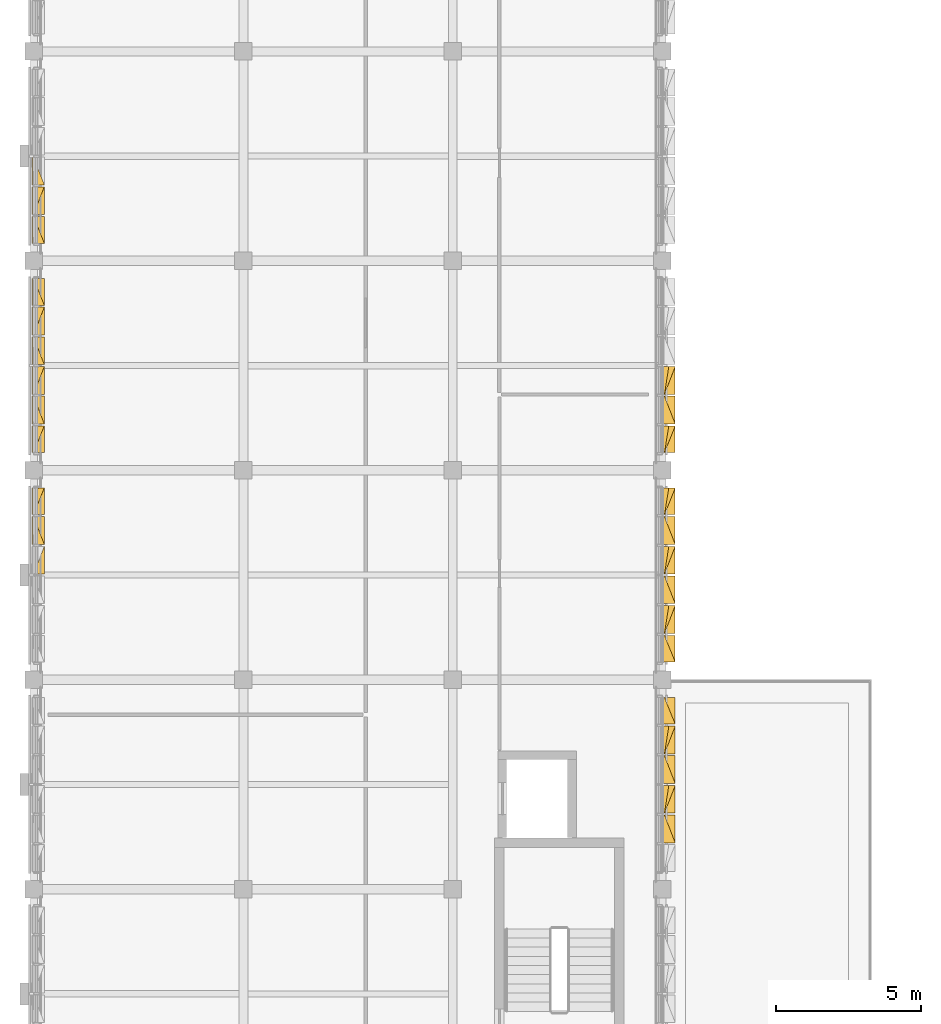
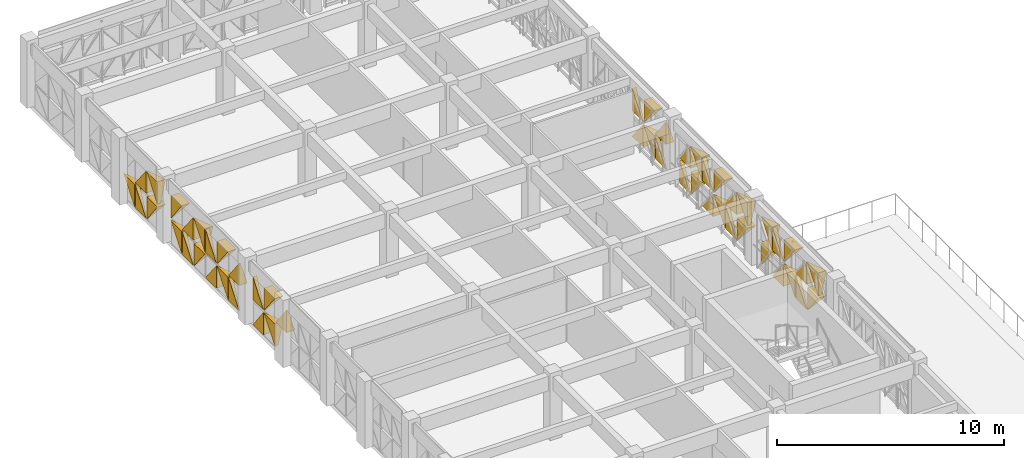
# One storey, part 97 of 99: 50 coverings.
"""IFC4 building model written with IfcOpenShell, lengths in metres."""

from ifc_helpers import new_model, si_unit, direction, frame, origin, place, context, subcontext, project, spatial, polygons, material, layer, layer_set, type_object, element, save


model = new_model("IFC4")

# Units and contexts
model_context = context("Model", 3, precision=1e-05, world=origin(), true_north=direction((0.0, 1.0)))
body_context = subcontext(model_context, "Body", "Model", "MODEL_VIEW")
ifc_project = project(units=[si_unit("LENGTHUNIT", "METRE"), si_unit("AREAUNIT", "SQUARE_METRE"), si_unit("VOLUMEUNIT", "CUBIC_METRE"), si_unit("PLANEANGLEUNIT", "RADIAN"), si_unit("MASSUNIT", "GRAM", prefix="KILO")], contexts=[model_context])

# Site, building, storey
site_placement = place(None, origin())
site = spatial("IfcSite", under=ifc_project, at=site_placement, CompositionType="ELEMENT")
building_placement = place(site_placement, origin())
building = spatial("IfcBuilding", under=site, at=building_placement, Name="Alvorim Cloister Faculty of Sciences", CompositionType="ELEMENT")
storey_placement = place(building_placement, frame((0.0, 0.0, 12.14990234375)))
storey = spatial("IfcBuildingStorey", under=building, at=storey_placement, Name="L03", CompositionType="ELEMENT", Elevation=12.14990234375)

# Coverings
ifc_material = material(Name="Perforated Bronze Alloy Sheet", Category="metal")
ifc_layer = layer(ifc_material, 0.0380859375)
ifc_layer_set = layer_set([ifc_layer], Name="Perforated Bronze Alloy Sheet")
covering_type = type_object("IfcCoveringType", Name="COV-TRI-BRZ", PredefinedType="CLADDING", material=ifc_layer_set)
covering_1_placement = place(storey_placement, frame((-0.044921875, 88.83251953125, 1.4951171875), z_axis=(0.0, 0.0, 1.0), x_axis=(0.0, 1.0, 0.0)))
element("IfcCovering", 1, at=covering_1_placement, inside=storey, type_object=covering_type, Name="Diagonal Solid Metal Triangle TRI-BL", PredefinedType="CLADDING", context=body_context, shape_type="Tessellation", body=[
    polygons([(0.0, 0.0260009765625, 0.0), (0.953078125, 0.0260009765625, 0.0), (0.0, 0.0260009765625, 1.213087890625), (0.0, -0.4, 0.0), (0.953078125, -0.4, 0.0), (0.0, -0.03, 1.213087890625)], [[[1, 3, 2]], [[4, 5, 6]], [[1, 2, 5, 4]], [[2, 3, 6, 5]], [[3, 1, 4, 6]]], closed=True),
])
covering_2_placement = place(storey_placement, frame((-0.044921875, 89.8525390625, 0.14013671875), z_axis=(0.0, 0.0, 1.0), x_axis=(0.0, 1.0, 0.0)))
element("IfcCovering", 2, at=covering_2_placement, inside=storey, type_object=covering_type, Name="Diagonal Solid Metal Triangle TRI-TL", PredefinedType="CLADDING", context=body_context, shape_type="Tessellation", body=[
    polygons([(0.953078125, 0.0260009765625, 1.21484375), (0.0, 0.0260009765625, 1.21484375), (0.0, 0.0260009765625, 0.002), (0.953078125, -0.03, 1.21484375), (0.0, -0.4, 1.21484375), (0.0, -0.13999999999999999, 0.002)], [[[1, 3, 2]], [[4, 5, 6]], [[1, 2, 5, 4]], [[2, 3, 6, 5]], [[3, 1, 4, 6]]], closed=True),
])
covering_3_placement = place(storey_placement, frame((-0.044921875, 89.8525390625, 1.4951171875), z_axis=(0.0, 0.0, 1.0), x_axis=(0.0, 1.0, 0.0)))
element("IfcCovering", 3, at=covering_3_placement, inside=storey, type_object=covering_type, Name="Diagonal Solid Metal Triangle TRI-TR", PredefinedType="CLADDING", context=body_context, shape_type="Tessellation", body=[
    polygons([(0.955078125, 0.0260009765625, 0.002), (0.955078125, 0.0260009765625, 1.215087890625), (0.002, 0.0260009765625, 1.215087890625), (0.955078125, -0.03, 0.002), (0.955078125, -0.4, 1.215087890625), (0.002, -0.4, 1.215087890625)], [[[1, 3, 2]], [[4, 5, 6]], [[1, 2, 5, 4]], [[2, 3, 6, 5]], [[3, 1, 4, 6]]], closed=True),
])
covering_4_placement = place(storey_placement, frame((-0.044921875, 90.87255859375, 0.14013671875), z_axis=(0.0, 0.0, 1.0), x_axis=(0.0, 1.0, 0.0)))
element("IfcCovering", 4, at=covering_4_placement, inside=storey, type_object=covering_type, Name="Diagonal Solid Metal Triangle TRI-BL", PredefinedType="CLADDING", context=body_context, shape_type="Tessellation", body=[
    polygons([(0.0, 0.0260009765625, 0.0), (0.920607421875, 0.0260009765625, 0.0), (0.0, 0.0260009765625, 1.21284375), (0.0, -0.4, 0.0), (0.920607421875, -0.4, 0.0), (0.0, -0.03, 1.21284375)], [[[1, 3, 2]], [[4, 5, 6]], [[1, 2, 5, 4]], [[2, 3, 6, 5]], [[3, 1, 4, 6]]], closed=True),
])
covering_5_placement = place(storey_placement, frame((-0.044921875, 90.87255859375, 1.4951171875), z_axis=(0.0, 0.0, 1.0), x_axis=(0.0, 1.0, 0.0)))
element("IfcCovering", 5, at=covering_5_placement, inside=storey, type_object=covering_type, Name="Diagonal Solid Metal Triangle TRI-BR", PredefinedType="CLADDING", context=body_context, shape_type="Tessellation", body=[
    polygons([(0.002, 0.0260009765625, 0.0), (0.922607421875, 0.0260009765625, 0.0), (0.922607421875, 0.0260009765625, 1.213087890625), (0.002, -0.03, 0.0), (0.922607421875, -0.4, 0.0), (0.922607421875, -0.18000000000000002, 1.213087890625)], [[[1, 3, 2]], [[4, 5, 6]], [[1, 2, 5, 4]], [[2, 3, 6, 5]], [[3, 1, 4, 6]]], closed=True),
])
covering_6_placement = place(storey_placement, frame((-0.044921875, 93.0048828125, 0.14013671875), z_axis=(0.0, 0.0, 1.0), x_axis=(0.0, 1.0, 0.0)))
element("IfcCovering", 6, at=covering_6_placement, inside=storey, type_object=covering_type, Name="Diagonal Solid Metal Triangle TRI-BR", PredefinedType="CLADDING", context=body_context, shape_type="Tessellation", body=[
    polygons([(0.002, 0.0260009765625, 0.0), (0.922607421875, 0.0260009765625, 0.0), (0.922607421875, 0.0260009765625, 1.21284375), (0.002, -0.03, 0.0), (0.922607421875, -0.4, 0.0), (0.922607421875, -0.18000000000000002, 1.21284375)], [[[1, 3, 2]], [[4, 5, 6]], [[1, 2, 5, 4]], [[2, 3, 6, 5]], [[3, 1, 4, 6]]], closed=True),
])
covering_7_placement = place(storey_placement, frame((-0.044921875, 93.0048828125, 1.4951171875), z_axis=(0.0, 0.0, 1.0), x_axis=(0.0, 1.0, 0.0)))
element("IfcCovering", 7, at=covering_7_placement, inside=storey, type_object=covering_type, Name="Diagonal Solid Metal Triangle TRI-BL", PredefinedType="CLADDING", context=body_context, shape_type="Tessellation", body=[
    polygons([(0.0, 0.0260009765625, 0.0), (0.920607421875, 0.0260009765625, 0.0), (0.0, 0.0260009765625, 1.213087890625), (0.0, -0.4, 0.0), (0.920607421875, -0.4, 0.0), (0.0, -0.03, 1.213087890625)], [[[1, 3, 2]], [[4, 5, 6]], [[1, 2, 5, 4]], [[2, 3, 6, 5]], [[3, 1, 4, 6]]], closed=True),
])
covering_8_placement = place(storey_placement, frame((-0.044921875, 93.992431640625, 0.14013671875), z_axis=(0.0, 0.0, 1.0), x_axis=(0.0, 1.0, 0.0)))
element("IfcCovering", 8, at=covering_8_placement, inside=storey, type_object=covering_type, Name="Diagonal Solid Metal Triangle TRI-TL", PredefinedType="CLADDING", context=body_context, shape_type="Tessellation", body=[
    polygons([(0.953078125, 0.0260009765625, 1.21484375), (0.0, 0.0260009765625, 1.21484375), (0.0, 0.0260009765625, 0.002), (0.953078125, -0.03, 1.21484375), (0.0, -0.4, 1.21484375), (0.0, -0.13999999999999999, 0.002)], [[[1, 3, 2]], [[4, 5, 6]], [[1, 2, 5, 4]], [[2, 3, 6, 5]], [[3, 1, 4, 6]]], closed=True),
])
covering_9_placement = place(storey_placement, frame((-0.044921875, 93.992431640625, 1.4951171875), z_axis=(0.0, 0.0, 1.0), x_axis=(0.0, 1.0, 0.0)))
element("IfcCovering", 9, at=covering_9_placement, inside=storey, type_object=covering_type, Name="Diagonal Solid Metal Triangle TRI-TR", PredefinedType="CLADDING", context=body_context, shape_type="Tessellation", body=[
    polygons([(0.955078125, 0.0260009765625, 0.002), (0.955078125, 0.0260009765625, 1.215087890625), (0.002, 0.0260009765625, 1.215087890625), (0.955078125, -0.03, 0.002), (0.955078125, -0.4, 1.215087890625), (0.002, -0.4, 1.215087890625)], [[[1, 3, 2]], [[4, 5, 6]], [[1, 2, 5, 4]], [[2, 3, 6, 5]], [[3, 1, 4, 6]]], closed=True),
])
covering_10_placement = place(storey_placement, frame((-0.044921875, 95.012451171875, 0.14013671875), z_axis=(0.0, 0.0, 1.0), x_axis=(0.0, 1.0, 0.0)))
element("IfcCovering", 10, at=covering_10_placement, inside=storey, type_object=covering_type, Name="Diagonal Solid Metal Triangle TRI-BL", PredefinedType="CLADDING", context=body_context, shape_type="Tessellation", body=[
    polygons([(0.0, 0.0260009765625, 0.0), (0.953078125, 0.0260009765625, 0.0), (0.0, 0.0260009765625, 1.21284375), (0.0, -0.4, 0.0), (0.953078125, -0.4, 0.0), (0.0, -0.03, 1.21284375)], [[[1, 3, 2]], [[4, 5, 6]], [[1, 2, 5, 4]], [[2, 3, 6, 5]], [[3, 1, 4, 6]]], closed=True),
])
covering_11_placement = place(storey_placement, frame((-0.044921875, 95.012451171875, 1.4951171875), z_axis=(0.0, 0.0, 1.0), x_axis=(0.0, 1.0, 0.0)))
element("IfcCovering", 11, at=covering_11_placement, inside=storey, type_object=covering_type, Name="Diagonal Solid Metal Triangle TRI-BR", PredefinedType="CLADDING", context=body_context, shape_type="Tessellation", body=[
    polygons([(0.002, 0.0260009765625, 0.0), (0.955078125, 0.0260009765625, 0.0), (0.955078125, 0.0260009765625, 1.213087890625), (0.002, -0.03, 0.0), (0.955078125, -0.4, 0.0), (0.955078125, -0.18000000000000002, 1.213087890625)], [[[1, 3, 2]], [[4, 5, 6]], [[1, 2, 5, 4]], [[2, 3, 6, 5]], [[3, 1, 4, 6]]], closed=True),
])
covering_12_placement = place(storey_placement, frame((-0.044921875, 96.032470703125, 0.14013671875), z_axis=(0.0, 0.0, 1.0), x_axis=(0.0, 1.0, 0.0)))
element("IfcCovering", 12, at=covering_12_placement, inside=storey, type_object=covering_type, Name="Diagonal Solid Metal Triangle TRI-TR", PredefinedType="CLADDING", context=body_context, shape_type="Tessellation", body=[
    polygons([(0.955078125, 0.0260009765625, 0.002), (0.955078125, 0.0260009765625, 1.21484375), (0.002, 0.0260009765625, 1.21484375), (0.955078125, -0.03, 0.002), (0.955078125, -0.4, 1.21484375), (0.002, -0.4, 1.21484375)], [[[1, 3, 2]], [[4, 5, 6]], [[1, 2, 5, 4]], [[2, 3, 6, 5]], [[3, 1, 4, 6]]], closed=True),
])
covering_13_placement = place(storey_placement, frame((-0.044921875, 96.032470703125, 1.4951171875), z_axis=(0.0, 0.0, 1.0), x_axis=(0.0, 1.0, 0.0)))
element("IfcCovering", 13, at=covering_13_placement, inside=storey, type_object=covering_type, Name="Diagonal Solid Metal Triangle TRI-TL", PredefinedType="CLADDING", context=body_context, shape_type="Tessellation", body=[
    polygons([(0.953078125, 0.0260009765625, 1.215087890625), (0.0, 0.0260009765625, 1.215087890625), (0.0, 0.0260009765625, 0.002), (0.953078125, -0.03, 1.215087890625), (0.0, -0.4, 1.215087890625), (0.0, -0.13999999999999999, 0.002)], [[[1, 3, 2]], [[4, 5, 6]], [[1, 2, 5, 4]], [[2, 3, 6, 5]], [[3, 1, 4, 6]]], closed=True),
])
covering_14_placement = place(storey_placement, frame((-0.044921875, 97.052490234375, 0.14013671875), z_axis=(0.0, 0.0, 1.0), x_axis=(0.0, 1.0, 0.0)))
element("IfcCovering", 14, at=covering_14_placement, inside=storey, type_object=covering_type, Name="Diagonal Solid Metal Triangle TRI-BR", PredefinedType="CLADDING", context=body_context, shape_type="Tessellation", body=[
    polygons([(0.002, 0.0260009765625, 0.0), (0.955078125, 0.0260009765625, 0.0), (0.955078125, 0.0260009765625, 1.21284375), (0.002, -0.03, 0.0), (0.955078125, -0.4, 0.0), (0.955078125, -0.18000000000000002, 1.21284375)], [[[1, 3, 2]], [[4, 5, 6]], [[1, 2, 5, 4]], [[2, 3, 6, 5]], [[3, 1, 4, 6]]], closed=True),
])
covering_15_placement = place(storey_placement, frame((-0.044921875, 97.052490234375, 1.4951171875), z_axis=(0.0, 0.0, 1.0), x_axis=(0.0, 1.0, 0.0)))
element("IfcCovering", 15, at=covering_15_placement, inside=storey, type_object=covering_type, Name="Diagonal Solid Metal Triangle TRI-BL", PredefinedType="CLADDING", context=body_context, shape_type="Tessellation", body=[
    polygons([(0.0, 0.0260009765625, 0.0), (0.953078125, 0.0260009765625, 0.0), (0.0, 0.0260009765625, 1.213087890625), (0.0, -0.4, 0.0), (0.953078125, -0.4, 0.0), (0.0, -0.03, 1.213087890625)], [[[1, 3, 2]], [[4, 5, 6]], [[1, 2, 5, 4]], [[2, 3, 6, 5]], [[3, 1, 4, 6]]], closed=True),
])
covering_16_placement = place(storey_placement, frame((-0.044921875, 98.072509765625, 0.14013671875), z_axis=(0.0, 0.0, 1.0), x_axis=(0.0, 1.0, 0.0)))
element("IfcCovering", 16, at=covering_16_placement, inside=storey, type_object=covering_type, Name="Diagonal Solid Metal Triangle TRI-TL", PredefinedType="CLADDING", context=body_context, shape_type="Tessellation", body=[
    polygons([(0.920607421875, 0.0260009765625, 1.21484375), (0.0, 0.0260009765625, 1.21484375), (0.0, 0.0260009765625, 0.002), (0.920607421875, -0.03, 1.21484375), (0.0, -0.4, 1.21484375), (0.0, -0.13999999999999999, 0.002)], [[[1, 3, 2]], [[4, 5, 6]], [[1, 2, 5, 4]], [[2, 3, 6, 5]], [[3, 1, 4, 6]]], closed=True),
])
covering_17_placement = place(storey_placement, frame((-0.044921875, 98.072509765625, 1.4951171875), z_axis=(0.0, 0.0, 1.0), x_axis=(0.0, 1.0, 0.0)))
element("IfcCovering", 17, at=covering_17_placement, inside=storey, type_object=covering_type, Name="Diagonal Solid Metal Triangle TRI-TR", PredefinedType="CLADDING", context=body_context, shape_type="Tessellation", body=[
    polygons([(0.922607421875, 0.0260009765625, 0.002), (0.922607421875, 0.0260009765625, 1.215087890625), (0.002, 0.0260009765625, 1.215087890625), (0.922607421875, -0.03, 0.002), (0.922607421875, -0.4, 1.215087890625), (0.002, -0.4, 1.215087890625)], [[[1, 3, 2]], [[4, 5, 6]], [[1, 2, 5, 4]], [[2, 3, 6, 5]], [[3, 1, 4, 6]]], closed=True),
])
covering_18_placement = place(storey_placement, frame((-0.044921875, 100.205078125, 0.14013671875), z_axis=(0.0, 0.0, 1.0), x_axis=(0.0, 1.0, 0.0)))
element("IfcCovering", 18, at=covering_18_placement, inside=storey, type_object=covering_type, Name="Diagonal Solid Metal Triangle TRI-TR", PredefinedType="CLADDING", context=body_context, shape_type="Tessellation", body=[
    polygons([(0.922607421875, 0.0260009765625, 0.002), (0.922607421875, 0.0260009765625, 1.21484375), (0.002, 0.0260009765625, 1.21484375), (0.922607421875, -0.03, 0.002), (0.922607421875, -0.4, 1.21484375), (0.002, -0.4, 1.21484375)], [[[1, 3, 2]], [[4, 5, 6]], [[1, 2, 5, 4]], [[2, 3, 6, 5]], [[3, 1, 4, 6]]], closed=True),
])
covering_19_placement = place(storey_placement, frame((-0.044921875, 100.205078125, 1.4951171875), z_axis=(0.0, 0.0, 1.0), x_axis=(0.0, 1.0, 0.0)))
element("IfcCovering", 19, at=covering_19_placement, inside=storey, type_object=covering_type, Name="Diagonal Solid Metal Triangle TRI-TL", PredefinedType="CLADDING", context=body_context, shape_type="Tessellation", body=[
    polygons([(0.920607421875, 0.0260009765625, 1.215087890625), (0.0, 0.0260009765625, 1.215087890625), (0.0, 0.0260009765625, 0.002), (0.920607421875, -0.03, 1.215087890625), (0.0, -0.4, 1.215087890625), (0.0, -0.13999999999999999, 0.002)], [[[1, 3, 2]], [[4, 5, 6]], [[1, 2, 5, 4]], [[2, 3, 6, 5]], [[3, 1, 4, 6]]], closed=True),
])
covering_20_placement = place(storey_placement, frame((-0.044921875, 101.1923828125, 0.14013671875), z_axis=(0.0, 0.0, 1.0), x_axis=(0.0, 1.0, 0.0)))
element("IfcCovering", 20, at=covering_20_placement, inside=storey, type_object=covering_type, Name="Diagonal Solid Metal Triangle TRI-BR", PredefinedType="CLADDING", context=body_context, shape_type="Tessellation", body=[
    polygons([(0.002, 0.0260009765625, 0.0), (0.955078125, 0.0260009765625, 0.0), (0.955078125, 0.0260009765625, 1.21284375), (0.002, -0.03, 0.0), (0.955078125, -0.4, 0.0), (0.955078125, -0.18000000000000002, 1.21284375)], [[[1, 3, 2]], [[4, 5, 6]], [[1, 2, 5, 4]], [[2, 3, 6, 5]], [[3, 1, 4, 6]]], closed=True),
])
covering_21_placement = place(storey_placement, frame((-0.044921875, 101.1923828125, 1.4951171875), z_axis=(0.0, 0.0, 1.0), x_axis=(0.0, 1.0, 0.0)))
element("IfcCovering", 21, at=covering_21_placement, inside=storey, type_object=covering_type, Name="Diagonal Solid Metal Triangle TRI-BL", PredefinedType="CLADDING", context=body_context, shape_type="Tessellation", body=[
    polygons([(0.0, 0.0260009765625, 0.0), (0.953078125, 0.0260009765625, 0.0), (0.0, 0.0260009765625, 1.213087890625), (0.0, -0.4, 0.0), (0.953078125, -0.4, 0.0), (0.0, -0.03, 1.213087890625)], [[[1, 3, 2]], [[4, 5, 6]], [[1, 2, 5, 4]], [[2, 3, 6, 5]], [[3, 1, 4, 6]]], closed=True),
])
covering_22_placement = place(storey_placement, frame((-0.044921875, 102.21240234375, 0.14013671875), z_axis=(0.0, 0.0, 1.0), x_axis=(0.0, 1.0, 0.0)))
element("IfcCovering", 22, at=covering_22_placement, inside=storey, type_object=covering_type, Name="Diagonal Solid Metal Triangle TRI-TL", PredefinedType="CLADDING", context=body_context, shape_type="Tessellation", body=[
    polygons([(0.953078125, 0.0260009765625, 1.21484375), (0.0, 0.0260009765625, 1.21484375), (0.0, 0.0260009765625, 0.002), (0.953078125, -0.03, 1.21484375), (0.0, -0.4, 1.21484375), (0.0, -0.13999999999999999, 0.002)], [[[1, 3, 2]], [[4, 5, 6]], [[1, 2, 5, 4]], [[2, 3, 6, 5]], [[3, 1, 4, 6]]], closed=True),
])
covering_23_placement = place(storey_placement, frame((21.64501953125, 93.0048828125, 0.14013671875), z_axis=(0.0, 0.0, 1.0), x_axis=(0.0, 1.0, 0.0)))
element("IfcCovering", 23, at=covering_23_placement, inside=storey, type_object=covering_type, Name="Diagonal Solid Metal Triangle TRI-BR", PredefinedType="CLADDING", context=body_context, shape_type="Tessellation", body=[
    polygons([(0.002, 0.0260009765625, 0.0), (0.922607421875, 0.0260009765625, 0.0), (0.922607421875, 0.0260009765625, 1.21284375), (0.002, -0.03, 0.0), (0.922607421875, -0.4, 0.0), (0.922607421875, -0.18000000000000002, 1.21284375)], [[[1, 3, 2]], [[4, 5, 6]], [[1, 2, 5, 4]], [[2, 3, 6, 5]], [[3, 1, 4, 6]]], closed=True),
])
covering_24_placement = place(storey_placement, frame((21.64501953125, 93.0048828125, 1.4951171875), z_axis=(0.0, 0.0, 1.0), x_axis=(0.0, 1.0, 0.0)))
element("IfcCovering", 24, at=covering_24_placement, inside=storey, type_object=covering_type, Name="Diagonal Solid Metal Triangle TRI-BL", PredefinedType="CLADDING", context=body_context, shape_type="Tessellation", body=[
    polygons([(0.0, 0.0260009765625, 0.0), (0.920607421875, 0.0260009765625, 0.0), (0.0, 0.0260009765625, 1.213087890625), (0.0, -0.4, 0.0), (0.920607421875, -0.4, 0.0), (0.0, -0.03, 1.213087890625)], [[[1, 3, 2]], [[4, 5, 6]], [[1, 2, 5, 4]], [[2, 3, 6, 5]], [[3, 1, 4, 6]]], closed=True),
])
covering_25_placement = place(storey_placement, frame((21.64501953125, 93.992431640625, 0.14013671875), z_axis=(0.0, 0.0, 1.0), x_axis=(0.0, 1.0, 0.0)))
element("IfcCovering", 25, at=covering_25_placement, inside=storey, type_object=covering_type, Name="Diagonal Solid Metal Triangle TRI-TL", PredefinedType="CLADDING", context=body_context, shape_type="Tessellation", body=[
    polygons([(0.953078125, 0.0260009765625, 1.21484375), (0.0, 0.0260009765625, 1.21484375), (0.0, 0.0260009765625, 0.002), (0.953078125, -0.03, 1.21484375), (0.0, -0.4, 1.21484375), (0.0, -0.13999999999999999, 0.002)], [[[1, 3, 2]], [[4, 5, 6]], [[1, 2, 5, 4]], [[2, 3, 6, 5]], [[3, 1, 4, 6]]], closed=True),
])
covering_26_placement = place(storey_placement, frame((21.64501953125, 93.992431640625, 1.4951171875), z_axis=(0.0, 0.0, 1.0), x_axis=(0.0, 1.0, 0.0)))
element("IfcCovering", 26, at=covering_26_placement, inside=storey, type_object=covering_type, Name="Diagonal Solid Metal Triangle TRI-TR", PredefinedType="CLADDING", context=body_context, shape_type="Tessellation", body=[
    polygons([(0.955078125, 0.0260009765625, 0.002), (0.955078125, 0.0260009765625, 1.215087890625), (0.002, 0.0260009765625, 1.215087890625), (0.955078125, -0.03, 0.002), (0.955078125, -0.4, 1.215087890625), (0.002, -0.4, 1.215087890625)], [[[1, 3, 2]], [[4, 5, 6]], [[1, 2, 5, 4]], [[2, 3, 6, 5]], [[3, 1, 4, 6]]], closed=True),
])
covering_27_placement = place(storey_placement, frame((21.64501953125, 95.012451171875, 0.14013671875), z_axis=(0.0, 0.0, 1.0), x_axis=(0.0, 1.0, 0.0)))
element("IfcCovering", 27, at=covering_27_placement, inside=storey, type_object=covering_type, Name="Diagonal Solid Metal Triangle TRI-BL", PredefinedType="CLADDING", context=body_context, shape_type="Tessellation", body=[
    polygons([(0.0, 0.0260009765625, 0.0), (0.953078125, 0.0260009765625, 0.0), (0.0, 0.0260009765625, 1.21284375), (0.0, -0.4, 0.0), (0.953078125, -0.4, 0.0), (0.0, -0.03, 1.21284375)], [[[1, 3, 2]], [[4, 5, 6]], [[1, 2, 5, 4]], [[2, 3, 6, 5]], [[3, 1, 4, 6]]], closed=True),
])
covering_28_placement = place(storey_placement, frame((21.64501953125, 95.012451171875, 1.4951171875), z_axis=(0.0, 0.0, 1.0), x_axis=(0.0, 1.0, 0.0)))
element("IfcCovering", 28, at=covering_28_placement, inside=storey, type_object=covering_type, Name="Diagonal Solid Metal Triangle TRI-BR", PredefinedType="CLADDING", context=body_context, shape_type="Tessellation", body=[
    polygons([(0.002, 0.0260009765625, 0.0), (0.955078125, 0.0260009765625, 0.0), (0.955078125, 0.0260009765625, 1.213087890625), (0.002, -0.03, 0.0), (0.955078125, -0.4, 0.0), (0.955078125, -0.18000000000000002, 1.213087890625)], [[[1, 3, 2]], [[4, 5, 6]], [[1, 2, 5, 4]], [[2, 3, 6, 5]], [[3, 1, 4, 6]]], closed=True),
])
covering_29_placement = place(storey_placement, frame((21.64501953125, 85.804931640625, 0.14013671875), z_axis=(0.0, 0.0, 1.0), x_axis=(0.0, 1.0, 0.0)))
element("IfcCovering", 29, at=covering_29_placement, inside=storey, type_object=covering_type, Name="Diagonal Solid Metal Triangle TRI-TR", PredefinedType="CLADDING", context=body_context, shape_type="Tessellation", body=[
    polygons([(0.922607421875, 0.0260009765625, 0.002), (0.922607421875, 0.0260009765625, 1.21484375), (0.002, 0.0260009765625, 1.21484375), (0.922607421875, -0.03, 0.002), (0.922607421875, -0.4, 1.21484375), (0.002, -0.4, 1.21484375)], [[[1, 3, 2]], [[4, 5, 6]], [[1, 2, 5, 4]], [[2, 3, 6, 5]], [[3, 1, 4, 6]]], closed=True),
])
covering_30_placement = place(storey_placement, frame((21.64501953125, 85.804931640625, 1.4951171875), z_axis=(0.0, 0.0, 1.0), x_axis=(0.0, 1.0, 0.0)))
element("IfcCovering", 30, at=covering_30_placement, inside=storey, type_object=covering_type, Name="Diagonal Solid Metal Triangle TRI-TL", PredefinedType="CLADDING", context=body_context, shape_type="Tessellation", body=[
    polygons([(0.920607421875, 0.0260009765625, 1.215087890625), (0.0, 0.0260009765625, 1.215087890625), (0.0, 0.0260009765625, 0.002), (0.920607421875, -0.03, 1.215087890625), (0.0, -0.4, 1.215087890625), (0.0, -0.13999999999999999, 0.002)], [[[1, 3, 2]], [[4, 5, 6]], [[1, 2, 5, 4]], [[2, 3, 6, 5]], [[3, 1, 4, 6]]], closed=True),
])
covering_31_placement = place(storey_placement, frame((21.64501953125, 86.79248046875, 0.14013671875), z_axis=(0.0, 0.0, 1.0), x_axis=(0.0, 1.0, 0.0)))
element("IfcCovering", 31, at=covering_31_placement, inside=storey, type_object=covering_type, Name="Diagonal Solid Metal Triangle TRI-BR", PredefinedType="CLADDING", context=body_context, shape_type="Tessellation", body=[
    polygons([(0.002, 0.0260009765625, 0.0), (0.955078125, 0.0260009765625, 0.0), (0.955078125, 0.0260009765625, 1.21284375), (0.002, -0.03, 0.0), (0.955078125, -0.4, 0.0), (0.955078125, -0.18000000000000002, 1.21284375)], [[[1, 3, 2]], [[4, 5, 6]], [[1, 2, 5, 4]], [[2, 3, 6, 5]], [[3, 1, 4, 6]]], closed=True),
])
covering_32_placement = place(storey_placement, frame((21.64501953125, 86.79248046875, 1.4951171875), z_axis=(0.0, 0.0, 1.0), x_axis=(0.0, 1.0, 0.0)))
element("IfcCovering", 32, at=covering_32_placement, inside=storey, type_object=covering_type, Name="Diagonal Solid Metal Triangle TRI-BL", PredefinedType="CLADDING", context=body_context, shape_type="Tessellation", body=[
    polygons([(0.0, 0.0260009765625, 0.0), (0.953078125, 0.0260009765625, 0.0), (0.0, 0.0260009765625, 1.213087890625), (0.0, -0.4, 0.0), (0.953078125, -0.4, 0.0), (0.0, -0.03, 1.213087890625)], [[[1, 3, 2]], [[4, 5, 6]], [[1, 2, 5, 4]], [[2, 3, 6, 5]], [[3, 1, 4, 6]]], closed=True),
])
covering_33_placement = place(storey_placement, frame((21.64501953125, 87.8125, 0.14013671875), z_axis=(0.0, 0.0, 1.0), x_axis=(0.0, 1.0, 0.0)))
element("IfcCovering", 33, at=covering_33_placement, inside=storey, type_object=covering_type, Name="Diagonal Solid Metal Triangle TRI-TL", PredefinedType="CLADDING", context=body_context, shape_type="Tessellation", body=[
    polygons([(0.953078125, 0.0260009765625, 1.21484375), (0.0, 0.0260009765625, 1.21484375), (0.0, 0.0260009765625, 0.002), (0.953078125, -0.03, 1.21484375), (0.0, -0.4, 1.21484375), (0.0, -0.13999999999999999, 0.002)], [[[1, 3, 2]], [[4, 5, 6]], [[1, 2, 5, 4]], [[2, 3, 6, 5]], [[3, 1, 4, 6]]], closed=True),
])
covering_34_placement = place(storey_placement, frame((21.64501953125, 87.8125, 1.4951171875), z_axis=(0.0, 0.0, 1.0), x_axis=(0.0, 1.0, 0.0)))
element("IfcCovering", 34, at=covering_34_placement, inside=storey, type_object=covering_type, Name="Diagonal Solid Metal Triangle TRI-TR", PredefinedType="CLADDING", context=body_context, shape_type="Tessellation", body=[
    polygons([(0.955078125, 0.0260009765625, 0.002), (0.955078125, 0.0260009765625, 1.215087890625), (0.002, 0.0260009765625, 1.215087890625), (0.955078125, -0.03, 0.002), (0.955078125, -0.4, 1.215087890625), (0.002, -0.4, 1.215087890625)], [[[1, 3, 2]], [[4, 5, 6]], [[1, 2, 5, 4]], [[2, 3, 6, 5]], [[3, 1, 4, 6]]], closed=True),
])
covering_35_placement = place(storey_placement, frame((21.64501953125, 88.83251953125, 0.14013671875), z_axis=(0.0, 0.0, 1.0), x_axis=(0.0, 1.0, 0.0)))
element("IfcCovering", 35, at=covering_35_placement, inside=storey, type_object=covering_type, Name="Diagonal Solid Metal Triangle TRI-BL", PredefinedType="CLADDING", context=body_context, shape_type="Tessellation", body=[
    polygons([(0.0, 0.0260009765625, 0.0), (0.953078125, 0.0260009765625, 0.0), (0.0, 0.0260009765625, 1.21284375), (0.0, -0.4, 0.0), (0.953078125, -0.4, 0.0), (0.0, -0.03, 1.21284375)], [[[1, 3, 2]], [[4, 5, 6]], [[1, 2, 5, 4]], [[2, 3, 6, 5]], [[3, 1, 4, 6]]], closed=True),
])
covering_36_placement = place(storey_placement, frame((21.64501953125, 88.83251953125, 1.4951171875), z_axis=(0.0, 0.0, 1.0), x_axis=(0.0, 1.0, 0.0)))
element("IfcCovering", 36, at=covering_36_placement, inside=storey, type_object=covering_type, Name="Diagonal Solid Metal Triangle TRI-BR", PredefinedType="CLADDING", context=body_context, shape_type="Tessellation", body=[
    polygons([(0.002, 0.0260009765625, 0.0), (0.955078125, 0.0260009765625, 0.0), (0.955078125, 0.0260009765625, 1.213087890625), (0.002, -0.03, 0.0), (0.955078125, -0.4, 0.0), (0.955078125, -0.18000000000000002, 1.213087890625)], [[[1, 3, 2]], [[4, 5, 6]], [[1, 2, 5, 4]], [[2, 3, 6, 5]], [[3, 1, 4, 6]]], closed=True),
])
covering_37_placement = place(storey_placement, frame((21.64501953125, 89.8525390625, 0.14013671875), z_axis=(0.0, 0.0, 1.0), x_axis=(0.0, 1.0, 0.0)))
element("IfcCovering", 37, at=covering_37_placement, inside=storey, type_object=covering_type, Name="Diagonal Solid Metal Triangle TRI-TR", PredefinedType="CLADDING", context=body_context, shape_type="Tessellation", body=[
    polygons([(0.955078125, 0.0260009765625, 0.002), (0.955078125, 0.0260009765625, 1.21484375), (0.002, 0.0260009765625, 1.21484375), (0.955078125, -0.03, 0.002), (0.955078125, -0.4, 1.21484375), (0.002, -0.4, 1.21484375)], [[[1, 3, 2]], [[4, 5, 6]], [[1, 2, 5, 4]], [[2, 3, 6, 5]], [[3, 1, 4, 6]]], closed=True),
])
covering_38_placement = place(storey_placement, frame((21.64501953125, 89.8525390625, 1.4951171875), z_axis=(0.0, 0.0, 1.0), x_axis=(0.0, 1.0, 0.0)))
element("IfcCovering", 38, at=covering_38_placement, inside=storey, type_object=covering_type, Name="Diagonal Solid Metal Triangle TRI-TL", PredefinedType="CLADDING", context=body_context, shape_type="Tessellation", body=[
    polygons([(0.953078125, 0.0260009765625, 1.215087890625), (0.0, 0.0260009765625, 1.215087890625), (0.0, 0.0260009765625, 0.002), (0.953078125, -0.03, 1.215087890625), (0.0, -0.4, 1.215087890625), (0.0, -0.13999999999999999, 0.002)], [[[1, 3, 2]], [[4, 5, 6]], [[1, 2, 5, 4]], [[2, 3, 6, 5]], [[3, 1, 4, 6]]], closed=True),
])
covering_39_placement = place(storey_placement, frame((21.64501953125, 90.87255859375, 0.14013671875), z_axis=(0.0, 0.0, 1.0), x_axis=(0.0, 1.0, 0.0)))
element("IfcCovering", 39, at=covering_39_placement, inside=storey, type_object=covering_type, Name="Diagonal Solid Metal Triangle TRI-BR", PredefinedType="CLADDING", context=body_context, shape_type="Tessellation", body=[
    polygons([(0.002, 0.0260009765625, 0.0), (0.922607421875, 0.0260009765625, 0.0), (0.922607421875, 0.0260009765625, 1.21284375), (0.002, -0.03, 0.0), (0.922607421875, -0.4, 0.0), (0.922607421875, -0.18000000000000002, 1.21284375)], [[[1, 3, 2]], [[4, 5, 6]], [[1, 2, 5, 4]], [[2, 3, 6, 5]], [[3, 1, 4, 6]]], closed=True),
])
covering_40_placement = place(storey_placement, frame((21.64501953125, 90.87255859375, 1.4951171875), z_axis=(0.0, 0.0, 1.0), x_axis=(0.0, 1.0, 0.0)))
element("IfcCovering", 40, at=covering_40_placement, inside=storey, type_object=covering_type, Name="Diagonal Solid Metal Triangle TRI-BL", PredefinedType="CLADDING", context=body_context, shape_type="Tessellation", body=[
    polygons([(0.0, 0.0260009765625, 0.0), (0.920607421875, 0.0260009765625, 0.0), (0.0, 0.0260009765625, 1.213087890625), (0.0, -0.4, 0.0), (0.920607421875, -0.4, 0.0), (0.0, -0.03, 1.213087890625)], [[[1, 3, 2]], [[4, 5, 6]], [[1, 2, 5, 4]], [[2, 3, 6, 5]], [[3, 1, 4, 6]]], closed=True),
])
covering_41_placement = place(storey_placement, frame((21.64501953125, 79.592529296875, 0.14013671875), z_axis=(0.0, 0.0, 1.0), x_axis=(0.0, 1.0, 0.0)))
element("IfcCovering", 41, at=covering_41_placement, inside=storey, type_object=covering_type, Name="Diagonal Solid Metal Triangle TRI-TR", PredefinedType="CLADDING", context=body_context, shape_type="Tessellation", body=[
    polygons([(0.955078125, 0.0260009765625, 0.002), (0.955078125, 0.0260009765625, 1.21484375), (0.002, 0.0260009765625, 1.21484375), (0.955078125, -0.03, 0.002), (0.955078125, -0.4, 1.21484375), (0.002, -0.4, 1.21484375)], [[[1, 3, 2]], [[4, 5, 6]], [[1, 2, 5, 4]], [[2, 3, 6, 5]], [[3, 1, 4, 6]]], closed=True),
])
covering_42_placement = place(storey_placement, frame((21.64501953125, 79.592529296875, 1.4951171875), z_axis=(0.0, 0.0, 1.0), x_axis=(0.0, 1.0, 0.0)))
element("IfcCovering", 42, at=covering_42_placement, inside=storey, type_object=covering_type, Name="Diagonal Solid Metal Triangle TRI-TL", PredefinedType="CLADDING", context=body_context, shape_type="Tessellation", body=[
    polygons([(0.953078125, 0.0260009765625, 1.215087890625), (0.0, 0.0260009765625, 1.215087890625), (0.0, 0.0260009765625, 0.002), (0.953078125, -0.03, 1.215087890625), (0.0, -0.4, 1.215087890625), (0.0, -0.13999999999999999, 0.002)], [[[1, 3, 2]], [[4, 5, 6]], [[1, 2, 5, 4]], [[2, 3, 6, 5]], [[3, 1, 4, 6]]], closed=True),
])
covering_43_placement = place(storey_placement, frame((21.64501953125, 80.612548828125, 0.14013671875), z_axis=(0.0, 0.0, 1.0), x_axis=(0.0, 1.0, 0.0)))
element("IfcCovering", 43, at=covering_43_placement, inside=storey, type_object=covering_type, Name="Diagonal Solid Metal Triangle TRI-BR", PredefinedType="CLADDING", context=body_context, shape_type="Tessellation", body=[
    polygons([(0.002, 0.0260009765625, 0.0), (0.955078125, 0.0260009765625, 0.0), (0.955078125, 0.0260009765625, 1.21284375), (0.002, -0.03, 0.0), (0.955078125, -0.4, 0.0), (0.955078125, -0.18000000000000002, 1.21284375)], [[[1, 3, 2]], [[4, 5, 6]], [[1, 2, 5, 4]], [[2, 3, 6, 5]], [[3, 1, 4, 6]]], closed=True),
])
covering_44_placement = place(storey_placement, frame((21.64501953125, 80.612548828125, 1.4951171875), z_axis=(0.0, 0.0, 1.0), x_axis=(0.0, 1.0, 0.0)))
element("IfcCovering", 44, at=covering_44_placement, inside=storey, type_object=covering_type, Name="Diagonal Solid Metal Triangle TRI-BL", PredefinedType="CLADDING", context=body_context, shape_type="Tessellation", body=[
    polygons([(0.0, 0.0260009765625, 0.0), (0.953078125, 0.0260009765625, 0.0), (0.0, 0.0260009765625, 1.213087890625), (0.0, -0.4, 0.0), (0.953078125, -0.4, 0.0), (0.0, -0.03, 1.213087890625)], [[[1, 3, 2]], [[4, 5, 6]], [[1, 2, 5, 4]], [[2, 3, 6, 5]], [[3, 1, 4, 6]]], closed=True),
])
covering_45_placement = place(storey_placement, frame((21.64501953125, 81.632568359375, 0.14013671875), z_axis=(0.0, 0.0, 1.0), x_axis=(0.0, 1.0, 0.0)))
element("IfcCovering", 45, at=covering_45_placement, inside=storey, type_object=covering_type, Name="Diagonal Solid Metal Triangle TRI-TL", PredefinedType="CLADDING", context=body_context, shape_type="Tessellation", body=[
    polygons([(0.953078125, 0.0260009765625, 1.21484375), (0.0, 0.0260009765625, 1.21484375), (0.0, 0.0260009765625, 0.002), (0.953078125, -0.03, 1.21484375), (0.0, -0.4, 1.21484375), (0.0, -0.13999999999999999, 0.002)], [[[1, 3, 2]], [[4, 5, 6]], [[1, 2, 5, 4]], [[2, 3, 6, 5]], [[3, 1, 4, 6]]], closed=True),
])
covering_46_placement = place(storey_placement, frame((21.64501953125, 81.632568359375, 1.4951171875), z_axis=(0.0, 0.0, 1.0), x_axis=(0.0, 1.0, 0.0)))
element("IfcCovering", 46, at=covering_46_placement, inside=storey, type_object=covering_type, Name="Diagonal Solid Metal Triangle TRI-TR", PredefinedType="CLADDING", context=body_context, shape_type="Tessellation", body=[
    polygons([(0.955078125, 0.0260009765625, 0.002), (0.955078125, 0.0260009765625, 1.215087890625), (0.002, 0.0260009765625, 1.215087890625), (0.955078125, -0.03, 0.002), (0.955078125, -0.4, 1.215087890625), (0.002, -0.4, 1.215087890625)], [[[1, 3, 2]], [[4, 5, 6]], [[1, 2, 5, 4]], [[2, 3, 6, 5]], [[3, 1, 4, 6]]], closed=True),
])
covering_47_placement = place(storey_placement, frame((21.64501953125, 82.652587890625, 0.14013671875), z_axis=(0.0, 0.0, 1.0), x_axis=(0.0, 1.0, 0.0)))
element("IfcCovering", 47, at=covering_47_placement, inside=storey, type_object=covering_type, Name="Diagonal Solid Metal Triangle TRI-BL", PredefinedType="CLADDING", context=body_context, shape_type="Tessellation", body=[
    polygons([(0.0, 0.0260009765625, 0.0), (0.953078125, 0.0260009765625, 0.0), (0.0, 0.0260009765625, 1.21284375), (0.0, -0.4, 0.0), (0.953078125, -0.4, 0.0), (0.0, -0.03, 1.21284375)], [[[1, 3, 2]], [[4, 5, 6]], [[1, 2, 5, 4]], [[2, 3, 6, 5]], [[3, 1, 4, 6]]], closed=True),
])
covering_48_placement = place(storey_placement, frame((21.64501953125, 82.652587890625, 1.4951171875), z_axis=(0.0, 0.0, 1.0), x_axis=(0.0, 1.0, 0.0)))
element("IfcCovering", 48, at=covering_48_placement, inside=storey, type_object=covering_type, Name="Diagonal Solid Metal Triangle TRI-BR", PredefinedType="CLADDING", context=body_context, shape_type="Tessellation", body=[
    polygons([(0.002, 0.0260009765625, 0.0), (0.955078125, 0.0260009765625, 0.0), (0.955078125, 0.0260009765625, 1.213087890625), (0.002, -0.03, 0.0), (0.955078125, -0.4, 0.0), (0.955078125, -0.18000000000000002, 1.213087890625)], [[[1, 3, 2]], [[4, 5, 6]], [[1, 2, 5, 4]], [[2, 3, 6, 5]], [[3, 1, 4, 6]]], closed=True),
])
covering_49_placement = place(storey_placement, frame((21.64501953125, 83.672607421875, 0.14013671875), z_axis=(0.0, 0.0, 1.0), x_axis=(0.0, 1.0, 0.0)))
element("IfcCovering", 49, at=covering_49_placement, inside=storey, type_object=covering_type, Name="Diagonal Solid Metal Triangle TRI-TR", PredefinedType="CLADDING", context=body_context, shape_type="Tessellation", body=[
    polygons([(0.922607421875, 0.0260009765625, 0.002), (0.922607421875, 0.0260009765625, 1.21484375), (0.002, 0.0260009765625, 1.21484375), (0.922607421875, -0.03, 0.002), (0.922607421875, -0.4, 1.21484375), (0.002, -0.4, 1.21484375)], [[[1, 3, 2]], [[4, 5, 6]], [[1, 2, 5, 4]], [[2, 3, 6, 5]], [[3, 1, 4, 6]]], closed=True),
])
covering_50_placement = place(storey_placement, frame((21.64501953125, 83.672607421875, 1.4951171875), z_axis=(0.0, 0.0, 1.0), x_axis=(0.0, 1.0, 0.0)))
element("IfcCovering", 50, at=covering_50_placement, inside=storey, type_object=covering_type, Name="Diagonal Solid Metal Triangle TRI-TL", PredefinedType="CLADDING", context=body_context, shape_type="Tessellation", body=[
    polygons([(0.920607421875, 0.0260009765625, 1.215087890625), (0.0, 0.0260009765625, 1.215087890625), (0.0, 0.0260009765625, 0.002), (0.920607421875, -0.03, 1.215087890625), (0.0, -0.4, 1.215087890625), (0.0, -0.13999999999999999, 0.002)], [[[1, 3, 2]], [[4, 5, 6]], [[1, 2, 5, 4]], [[2, 3, 6, 5]], [[3, 1, 4, 6]]], closed=True),
])

save(model, "model.ifc")
